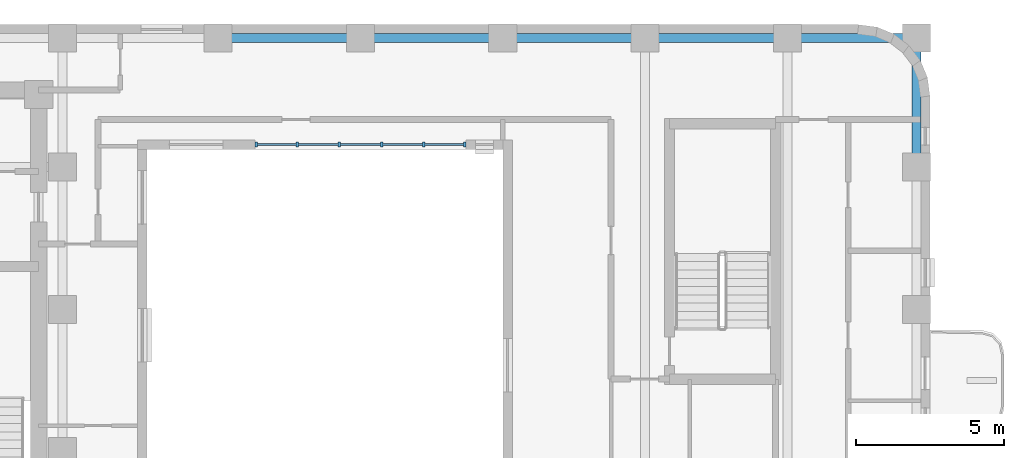
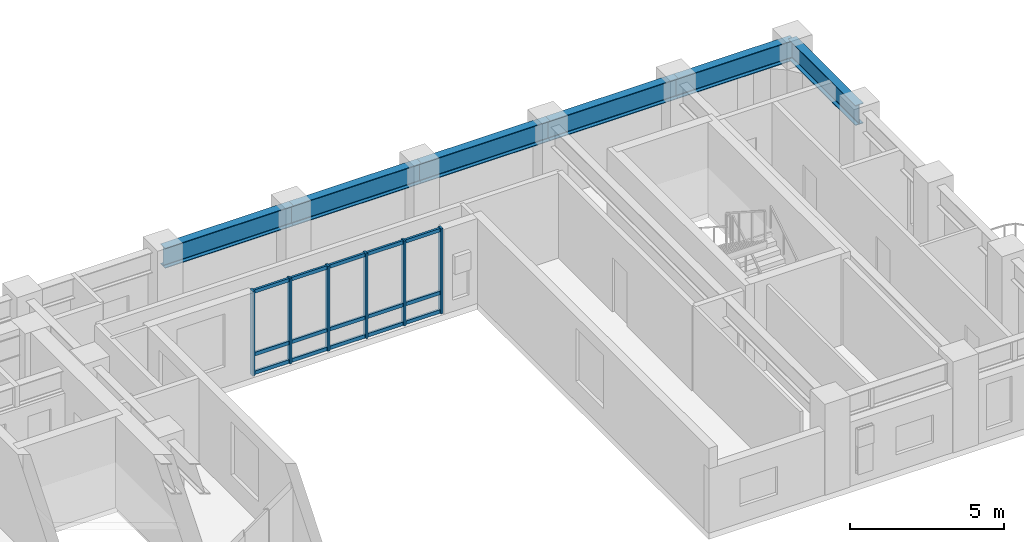
# One storey, part 2 of 11: 21 members, 6 beams, 1 element without a shape of its own.
"""IFC4 building model written with IfcOpenShell, lengths in metres."""

from ifc_helpers import new_model, si_unit, direction, frame, origin, origin_2d, place, context, subcontext, project, spatial, rectangle, i_section, extrude, material, material_profile, profile_set, type_object, element, aggregate, save


model = new_model("IFC4")

# Units and contexts
model_context = context("Model", 3, precision=1e-05, world=origin(), true_north=direction((0.0, 1.0)))
body_context = subcontext(model_context, "Body", "Model", "MODEL_VIEW")
ifc_project = project(units=[si_unit("LENGTHUNIT", "METRE"), si_unit("AREAUNIT", "SQUARE_METRE"), si_unit("VOLUMEUNIT", "CUBIC_METRE"), si_unit("PLANEANGLEUNIT", "RADIAN"), si_unit("MASSUNIT", "GRAM", prefix="KILO")], contexts=[model_context])

# Site, building, storey
site_placement = place(None, origin())
site = spatial("IfcSite", under=ifc_project, at=site_placement, CompositionType="ELEMENT")
building_placement = place(site_placement, origin())
building = spatial("IfcBuilding", under=site, at=building_placement, Name="Orvandelia Arch Residences", CompositionType="ELEMENT")
storey_placement = place(building_placement, frame((0.0, 0.0, 164.800048828125)))
storey = spatial("IfcBuildingStorey", under=building, at=storey_placement, Name="L43", CompositionType="ELEMENT", Elevation=164.800048828125)

# Beams
ifc_material_1 = material(Name="Structural Steel SM355 (355 MPa)", Category="steel")
ifc_material_profile_1 = material_profile(ifc_material_1, i_section(OverallWidth=0.300048828125, OverallDepth=0.800048828125, WebThickness=0.013916015625, FlangeThickness=0.02587890625, FilletRadius=0.02587890625, at=origin_2d()), Name="Structural Steel SM355 (355 MPa)", Category="steel")
ifc_profile_set_1 = profile_set([ifc_material_profile_1], Name="Structural Steel SM355 (355 MPa)")
beam_type = type_object("IfcBeamType", Name="BM-GRD-H800", PredefinedType="BEAM", material=ifc_profile_set_1)
beam_1_placement = place(storey_placement, frame((52.35009765625, 43.199951171875, 2.9599609375), z_axis=(0.0, 1.0, 0.0), x_axis=(-1.0, 0.0, 0.0)))
element("IfcBeam", 1, at=beam_1_placement, inside=storey, type_object=beam_type, Name="Structural Frame Beam L43-NS-021", PredefinedType="BEAM", context=body_context, shape_type="SweptSolid", body=[
    extrude(i_section(OverallWidth=0.300048828125, OverallDepth=0.800048828125, WebThickness=0.013916015625, FlangeThickness=0.02587890625, FilletRadius=0.02587890625, at=origin_2d()), origin(), (0.0, 0.0, 1.0), 4.35009765625),
])
beam_2_placement = place(storey_placement, frame((28.800048828125, 47.550048828125, 2.9599609375), z_axis=(1.0, 0.0, 0.0), x_axis=(0.0, 1.0, 0.0)))
element("IfcBeam", 2, at=beam_2_placement, inside=storey, type_object=beam_type, Name="Structural Frame Girder L43-EW-039", PredefinedType="BEAM", context=body_context, shape_type="SweptSolid", body=[
    extrude(i_section(OverallWidth=0.300048828125, OverallDepth=0.800048828125, WebThickness=0.013916015625, FlangeThickness=0.02587890625, FilletRadius=0.02587890625, at=origin_2d()), origin(), (0.0, 0.0, 1.0), 4.800048828125),
])
beam_3_placement = place(storey_placement, frame((33.60009765625, 47.550048828125, 2.9599609375), z_axis=(1.0, 0.0, 0.0), x_axis=(0.0, 1.0, 0.0)))
element("IfcBeam", 3, at=beam_3_placement, inside=storey, type_object=beam_type, Name="Structural Frame Girder L43-EW-040", PredefinedType="BEAM", context=body_context, shape_type="SweptSolid", body=[
    extrude(i_section(OverallWidth=0.300048828125, OverallDepth=0.800048828125, WebThickness=0.013916015625, FlangeThickness=0.02587890625, FilletRadius=0.02587890625, at=origin_2d()), origin(), (0.0, 0.0, 1.0), 4.7998046875),
])
for number, where, z_axis, x_axis, name in (
    (4, (38.39990234375, 47.550048828125, 2.9599609375), (1.0, 0.0, 0.0), (0.0, 1.0, 0.0), "Structural Frame Girder L43-EW-041"),
    (5, (43.199951171875, 47.550048828125, 2.9599609375), (1.0, 0.0, 0.0), (0.0, 1.0, 0.0), "Structural Frame Girder L43-EW-042"),
):
    element("IfcBeam", number, at=place(storey_placement, frame(where, z_axis=z_axis, x_axis=x_axis)), inside=storey, type_object=beam_type, Name=name, PredefinedType="BEAM", context=body_context, shape_type="SweptSolid", body=[
        extrude(i_section(OverallWidth=0.300048828125, OverallDepth=0.800048828125, WebThickness=0.013916015625, FlangeThickness=0.02587890625, FilletRadius=0.02587890625, at=origin_2d()), origin(), (0.0, 0.0, 1.0), 4.800048828125),
    ])
beam_4_placement = place(storey_placement, frame((48.0, 47.550048828125, 2.9599609375), z_axis=(1.0, 0.0, 0.0), x_axis=(0.0, 1.0, 0.0)))
element("IfcBeam", 6, at=beam_4_placement, inside=storey, type_object=beam_type, Name="Structural Frame Girder L43-EW-043", PredefinedType="BEAM", context=body_context, shape_type="SweptSolid", body=[
    extrude(i_section(OverallWidth=0.300048828125, OverallDepth=0.800048828125, WebThickness=0.013916015625, FlangeThickness=0.02587890625, FilletRadius=0.02587890625, at=origin_2d()), origin(), (0.0, 0.0, 1.0), 4.35009765625),
])

# Curtain wall, members
ifc_material_2 = material(Name="Anodised Bronze Curtain Wall Assembly")
curtain_wall_type = type_object("IfcCurtainWallType", Name="CW-SYS4-PORTAL", PredefinedType="NOTDEFINED", material=ifc_material_2)
curtain_wall_placement = place(storey_placement, origin())
curtain_wall = element("IfcCurtainWall", 7, at=curtain_wall_placement, inside=storey, type_object=curtain_wall_type, Name="Void-Portal Bridge Curtain Wall L43 1", PredefinedType="NOTDEFINED")
ifc_material_3 = material(Name="Anodised Aluminium Alloy 6063-T6", Category="aluminium")
ifc_material_profile_2 = material_profile(ifc_material_3, rectangle(XDim=0.080078125, YDim=0.179931640625, at=origin_2d()), Name="Anodised Aluminium Alloy 6063-T6", Category="aluminium")
ifc_profile_set_2 = profile_set([ifc_material_profile_2], Name="Anodised Aluminium Alloy 6063-T6")
member_type_1 = type_object("IfcMemberType", Name="CW-MULLION-80x160", PredefinedType="MULLION", material=ifc_profile_set_2)
member_1_placement = place(storey_placement, frame((30.080078125, 43.9599609375, 0.0), z_axis=(0.0, 0.0, 1.0), x_axis=(1.0, 0.0, 0.0)))
member_1 = element("IfcMember", 8, at=member_1_placement, type_object=member_type_1, Name="Curtain Wall Mullion CW-L43-1-M1", PredefinedType="MULLION", context=body_context, shape_type="SweptSolid", body=[
    extrude(rectangle(XDim=0.080078125, YDim=0.179931640625, at=origin_2d()), origin(), (0.0, 0.0, 1.0), 3.35986328125),
])
member_2_placement = place(storey_placement, frame((31.464111328125, 43.9599609375, 0.0), z_axis=(0.0, 0.0, 1.0), x_axis=(1.0, 0.0, 0.0)))
member_2 = element("IfcMember", 9, at=member_2_placement, type_object=member_type_1, Name="Curtain Wall Mullion CW-L43-1-M2", PredefinedType="MULLION", context=body_context, shape_type="SweptSolid", body=[
    extrude(rectangle(XDim=0.080078125, YDim=0.179931640625, at=origin_2d()), origin(), (0.0, 0.0, 1.0), 3.35986328125),
])
member_3_placement = place(storey_placement, frame((32.887939453125, 43.9599609375, 0.0), z_axis=(0.0, 0.0, 1.0), x_axis=(1.0, 0.0, 0.0)))
member_3 = element("IfcMember", 10, at=member_3_placement, type_object=member_type_1, Name="Curtain Wall Mullion CW-L43-1-M3", PredefinedType="MULLION", context=body_context, shape_type="SweptSolid", body=[
    extrude(rectangle(XDim=0.080078125, YDim=0.179931640625, at=origin_2d()), origin(), (0.0, 0.0, 1.0), 3.35986328125),
])
member_4_placement = place(storey_placement, frame((34.31201171875, 43.9599609375, 0.0), z_axis=(0.0, 0.0, 1.0), x_axis=(1.0, 0.0, 0.0)))
member_4 = element("IfcMember", 11, at=member_4_placement, type_object=member_type_1, Name="Curtain Wall Mullion CW-L43-1-M4", PredefinedType="MULLION", context=body_context, shape_type="SweptSolid", body=[
    extrude(rectangle(XDim=0.080078125, YDim=0.179931640625, at=origin_2d()), origin(), (0.0, 0.0, 1.0), 3.35986328125),
])
member_5_placement = place(storey_placement, frame((35.736083984375, 43.9599609375, 0.0), z_axis=(0.0, 0.0, 1.0), x_axis=(1.0, 0.0, 0.0)))
member_5 = element("IfcMember", 12, at=member_5_placement, type_object=member_type_1, Name="Curtain Wall Mullion CW-L43-1-M5", PredefinedType="MULLION", context=body_context, shape_type="SweptSolid", body=[
    extrude(rectangle(XDim=0.080078125, YDim=0.179931640625, at=origin_2d()), origin(), (0.0, 0.0, 1.0), 3.35986328125),
])
member_6_placement = place(storey_placement, frame((37.1201171875, 43.9599609375, 0.0), z_axis=(0.0, 0.0, 1.0), x_axis=(1.0, 0.0, 0.0)))
member_6 = element("IfcMember", 13, at=member_6_placement, type_object=member_type_1, Name="Curtain Wall Mullion CW-L43-1-M6", PredefinedType="MULLION", context=body_context, shape_type="SweptSolid", body=[
    extrude(rectangle(XDim=0.080078125, YDim=0.179931640625, at=origin_2d()), origin(), (0.0, 0.0, 1.0), 3.35986328125),
])
ifc_material_profile_3 = material_profile(ifc_material_3, rectangle(XDim=0.080078125, YDim=0.139892578125, at=origin_2d()), Name="Anodised Aluminium Alloy 6063-T6", Category="aluminium")
ifc_profile_set_3 = profile_set([ifc_material_profile_3], Name="Anodised Aluminium Alloy 6063-T6")
member_type_2 = type_object("IfcMemberType", Name="CW-TRANSOM-80x140", PredefinedType="USERDEFINED", material=ifc_profile_set_3)
member_7_placement = place(storey_placement, frame((30.10498046875, 43.9599609375, 0.070068359375), z_axis=(1.0, 0.0, 0.0), x_axis=(0.0, 1.0, 0.0)))
member_7 = element("IfcMember", 14, at=member_7_placement, type_object=member_type_2, Name="Curtain Wall Transom CW-L43-1-T1-1", ObjectType="TRANSOM", PredefinedType="USERDEFINED", context=body_context, shape_type="SweptSolid", body=[
    extrude(rectangle(XDim=0.080078125, YDim=0.139892578125, at=origin_2d()), origin(), (0.0, 0.0, 1.0), 1.333984375),
])
member_8_placement = place(storey_placement, frame((30.10498046875, 43.9599609375, 0.806396484375), z_axis=(1.0, 0.0, 0.0), x_axis=(0.0, 1.0, 0.0)))
member_8 = element("IfcMember", 15, at=member_8_placement, type_object=member_type_2, Name="Curtain Wall Transom CW-L43-1-T1-2", ObjectType="TRANSOM", PredefinedType="USERDEFINED", context=body_context, shape_type="SweptSolid", body=[
    extrude(rectangle(XDim=0.080078125, YDim=0.139892578125, at=origin_2d()), origin(), (0.0, 0.0, 1.0), 1.333984375),
])
member_9_placement = place(storey_placement, frame((30.10498046875, 43.9599609375, 3.2900390625), z_axis=(1.0, 0.0, 0.0), x_axis=(0.0, 1.0, 0.0)))
member_9 = element("IfcMember", 16, at=member_9_placement, type_object=member_type_2, Name="Curtain Wall Transom CW-L43-1-T1-3", ObjectType="TRANSOM", PredefinedType="USERDEFINED", context=body_context, shape_type="SweptSolid", body=[
    extrude(rectangle(XDim=0.080078125, YDim=0.139892578125, at=origin_2d()), origin(), (0.0, 0.0, 1.0), 1.333984375),
])
member_10_placement = place(storey_placement, frame((31.489013671875, 43.9599609375, 0.070068359375), z_axis=(1.0, 0.0, 0.0), x_axis=(0.0, 1.0, 0.0)))
member_10 = element("IfcMember", 17, at=member_10_placement, type_object=member_type_2, Name="Curtain Wall Transom CW-L43-1-T2-1", ObjectType="TRANSOM", PredefinedType="USERDEFINED", context=body_context, shape_type="SweptSolid", body=[
    extrude(rectangle(XDim=0.080078125, YDim=0.139892578125, at=origin_2d()), origin(), (0.0, 0.0, 1.0), 1.3740234375),
])
member_11_placement = place(storey_placement, frame((31.489013671875, 43.9599609375, 0.806396484375), z_axis=(1.0, 0.0, 0.0), x_axis=(0.0, 1.0, 0.0)))
member_11 = element("IfcMember", 18, at=member_11_placement, type_object=member_type_2, Name="Curtain Wall Transom CW-L43-1-T2-2", ObjectType="TRANSOM", PredefinedType="USERDEFINED", context=body_context, shape_type="SweptSolid", body=[
    extrude(rectangle(XDim=0.080078125, YDim=0.139892578125, at=origin_2d()), origin(), (0.0, 0.0, 1.0), 1.3740234375),
])
member_12_placement = place(storey_placement, frame((31.489013671875, 43.9599609375, 3.2900390625), z_axis=(1.0, 0.0, 0.0), x_axis=(0.0, 1.0, 0.0)))
member_12 = element("IfcMember", 19, at=member_12_placement, type_object=member_type_2, Name="Curtain Wall Transom CW-L43-1-T2-3", ObjectType="TRANSOM", PredefinedType="USERDEFINED", context=body_context, shape_type="SweptSolid", body=[
    extrude(rectangle(XDim=0.080078125, YDim=0.139892578125, at=origin_2d()), origin(), (0.0, 0.0, 1.0), 1.3740234375),
])
member_13_placement = place(storey_placement, frame((32.9130859375, 43.9599609375, 0.070068359375), z_axis=(1.0, 0.0, 0.0), x_axis=(0.0, 1.0, 0.0)))
member_13 = element("IfcMember", 20, at=member_13_placement, type_object=member_type_2, Name="Curtain Wall Transom CW-L43-1-T3-1", ObjectType="TRANSOM", PredefinedType="USERDEFINED", context=body_context, shape_type="SweptSolid", body=[
    extrude(rectangle(XDim=0.080078125, YDim=0.139892578125, at=origin_2d()), origin(), (0.0, 0.0, 1.0), 1.3740234375),
])
member_14_placement = place(storey_placement, frame((32.9130859375, 43.9599609375, 0.806396484375), z_axis=(1.0, 0.0, 0.0), x_axis=(0.0, 1.0, 0.0)))
member_14 = element("IfcMember", 21, at=member_14_placement, type_object=member_type_2, Name="Curtain Wall Transom CW-L43-1-T3-2", ObjectType="TRANSOM", PredefinedType="USERDEFINED", context=body_context, shape_type="SweptSolid", body=[
    extrude(rectangle(XDim=0.080078125, YDim=0.139892578125, at=origin_2d()), origin(), (0.0, 0.0, 1.0), 1.3740234375),
])
member_15_placement = place(storey_placement, frame((32.9130859375, 43.9599609375, 3.2900390625), z_axis=(1.0, 0.0, 0.0), x_axis=(0.0, 1.0, 0.0)))
member_15 = element("IfcMember", 22, at=member_15_placement, type_object=member_type_2, Name="Curtain Wall Transom CW-L43-1-T3-3", ObjectType="TRANSOM", PredefinedType="USERDEFINED", context=body_context, shape_type="SweptSolid", body=[
    extrude(rectangle(XDim=0.080078125, YDim=0.139892578125, at=origin_2d()), origin(), (0.0, 0.0, 1.0), 1.3740234375),
])
member_16_placement = place(storey_placement, frame((34.3369140625, 43.9599609375, 0.070068359375), z_axis=(1.0, 0.0, 0.0), x_axis=(0.0, 1.0, 0.0)))
member_16 = element("IfcMember", 23, at=member_16_placement, type_object=member_type_2, Name="Curtain Wall Transom CW-L43-1-T4-1", ObjectType="TRANSOM", PredefinedType="USERDEFINED", context=body_context, shape_type="SweptSolid", body=[
    extrude(rectangle(XDim=0.080078125, YDim=0.139892578125, at=origin_2d()), origin(), (0.0, 0.0, 1.0), 1.3740234375),
])
member_17_placement = place(storey_placement, frame((34.3369140625, 43.9599609375, 0.806396484375), z_axis=(1.0, 0.0, 0.0), x_axis=(0.0, 1.0, 0.0)))
member_17 = element("IfcMember", 24, at=member_17_placement, type_object=member_type_2, Name="Curtain Wall Transom CW-L43-1-T4-2", ObjectType="TRANSOM", PredefinedType="USERDEFINED", context=body_context, shape_type="SweptSolid", body=[
    extrude(rectangle(XDim=0.080078125, YDim=0.139892578125, at=origin_2d()), origin(), (0.0, 0.0, 1.0), 1.3740234375),
])
member_18_placement = place(storey_placement, frame((34.3369140625, 43.9599609375, 3.2900390625), z_axis=(1.0, 0.0, 0.0), x_axis=(0.0, 1.0, 0.0)))
member_18 = element("IfcMember", 25, at=member_18_placement, type_object=member_type_2, Name="Curtain Wall Transom CW-L43-1-T4-3", ObjectType="TRANSOM", PredefinedType="USERDEFINED", context=body_context, shape_type="SweptSolid", body=[
    extrude(rectangle(XDim=0.080078125, YDim=0.139892578125, at=origin_2d()), origin(), (0.0, 0.0, 1.0), 1.3740234375),
])
member_19_placement = place(storey_placement, frame((35.760986328125, 43.9599609375, 0.070068359375), z_axis=(1.0, 0.0, 0.0), x_axis=(0.0, 1.0, 0.0)))
member_19 = element("IfcMember", 26, at=member_19_placement, type_object=member_type_2, Name="Curtain Wall Transom CW-L43-1-T5-1", ObjectType="TRANSOM", PredefinedType="USERDEFINED", context=body_context, shape_type="SweptSolid", body=[
    extrude(rectangle(XDim=0.080078125, YDim=0.139892578125, at=origin_2d()), origin(), (0.0, 0.0, 1.0), 1.333984375),
])
member_20_placement = place(storey_placement, frame((35.760986328125, 43.9599609375, 0.806396484375), z_axis=(1.0, 0.0, 0.0), x_axis=(0.0, 1.0, 0.0)))
member_20 = element("IfcMember", 27, at=member_20_placement, type_object=member_type_2, Name="Curtain Wall Transom CW-L43-1-T5-2", ObjectType="TRANSOM", PredefinedType="USERDEFINED", context=body_context, shape_type="SweptSolid", body=[
    extrude(rectangle(XDim=0.080078125, YDim=0.139892578125, at=origin_2d()), origin(), (0.0, 0.0, 1.0), 1.333984375),
])
member_21_placement = place(storey_placement, frame((35.760986328125, 43.9599609375, 3.2900390625), z_axis=(1.0, 0.0, 0.0), x_axis=(0.0, 1.0, 0.0)))
member_21 = element("IfcMember", 28, at=member_21_placement, type_object=member_type_2, Name="Curtain Wall Transom CW-L43-1-T5-3", ObjectType="TRANSOM", PredefinedType="USERDEFINED", context=body_context, shape_type="SweptSolid", body=[
    extrude(rectangle(XDim=0.080078125, YDim=0.139892578125, at=origin_2d()), origin(), (0.0, 0.0, 1.0), 1.333984375),
])
aggregate(curtain_wall, [member_1, member_2, member_3, member_4, member_5, member_6, member_7, member_8, member_9, member_10, member_11, member_12, member_13, member_14, member_15, member_16, member_17, member_18, member_19, member_20, member_21])

save(model, "model.ifc")
